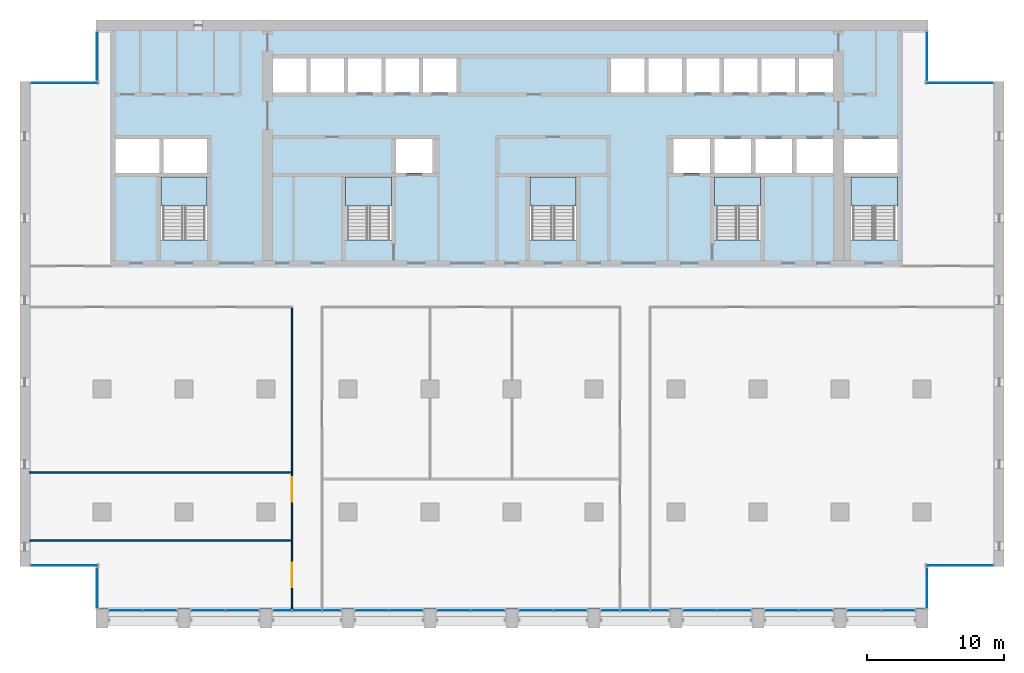
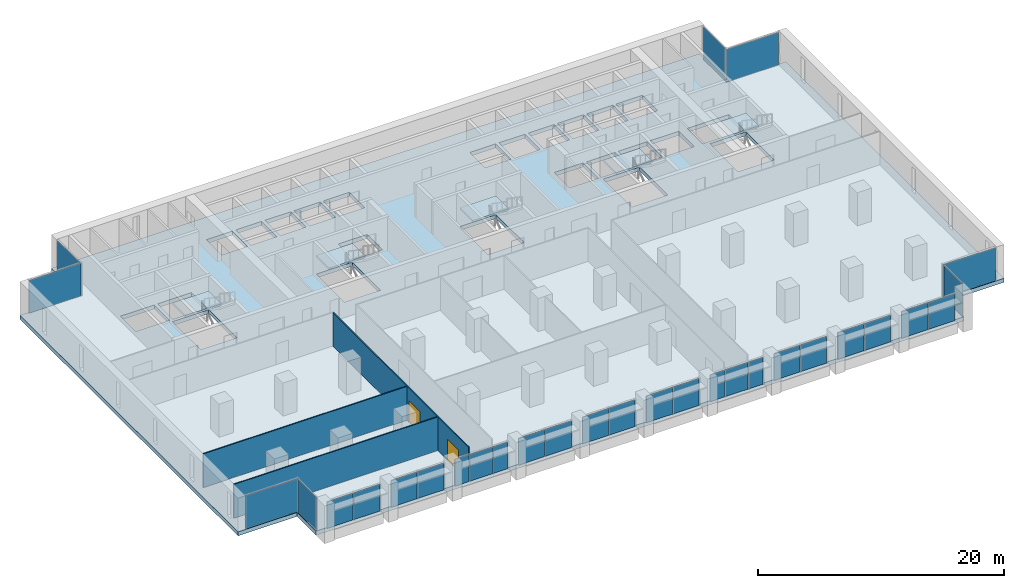
# One storey, part 7 of 15: 30 plates, 6 slabs, 3 walls, 2 doors, 2 openings, 23 elements without a shape of their own.
"""IFC4 building model written with IfcOpenShell, lengths in metres."""

from ifc_helpers import new_model, si_unit, direction, frame, frame_2d, origin, origin_2d, place, context, subcontext, project, spatial, polyline, rectangle, outline, extrude, material, layer, layer_set, type_object, element, fill, aggregate, save


model = new_model("IFC4")

# Units and contexts
model_context = context("Model", 3, precision=1e-05, world=origin(), true_north=direction((0.0, 1.0)))
body_context = subcontext(model_context, "Body", "Model", "MODEL_VIEW")
ifc_project = project(units=[si_unit("LENGTHUNIT", "METRE"), si_unit("AREAUNIT", "SQUARE_METRE"), si_unit("VOLUMEUNIT", "CUBIC_METRE"), si_unit("PLANEANGLEUNIT", "RADIAN"), si_unit("MASSUNIT", "GRAM", prefix="KILO")], contexts=[model_context])

# Site, building, storey
site_placement = place(None, origin())
site = spatial("IfcSite", under=ifc_project, at=site_placement, CompositionType="ELEMENT")
building_placement = place(site_placement, origin())
building = spatial("IfcBuilding", under=site, at=building_placement, Name="Calvaro Tower", CompositionType="ELEMENT")
storey_placement = place(building_placement, frame((0.0, 0.0, 121.25)))
storey = spatial("IfcBuildingStorey", under=building, at=storey_placement, Name="L30", CompositionType="ELEMENT", Elevation=121.25)

# Slab
ifc_material_1 = material(Name="Concrete C40/50", Category="concrete")
ifc_layer_1 = layer(ifc_material_1, 0.39990234375)
ifc_layer_set_1 = layer_set([ifc_layer_1], Name="Concrete C40/50")
slab_type_1 = type_object("IfcSlabType", Name="Floor slab 400 C40/50", PredefinedType="FLOOR", material=ifc_layer_set_1)
slab_1_placement = place(storey_placement, frame((0.0, 0.0, -0.39990234375)))
element("IfcSlab", 1, at=slab_1_placement, inside=storey, type_object=slab_type_1, Name="Floor slab", PredefinedType="FLOOR", context=body_context, shape_type="SweptSolid", body=[
    extrude(outline(polyline([(66.449951171875, 6.0), (66.449951171875, 2.89990234375), (5.550048828125, 2.89990234375), (5.550048828125, 6.0), (0.0, 6.0), (0.0, 41.5), (5.550048828125, 41.5), (5.550048828125, 46.0), (66.449951171875, 46.0), (66.449951171875, 41.5), (72.0, 41.5), (72.0, 6.0), (66.449951171875, 6.0)]), holes=[polyline([(10.300048828125, 29.909912109375), (10.300048828125, 34.5), (12.0, 34.5), (13.699951171875, 34.5), (13.699951171875, 29.909912109375), (12.0, 29.909912109375), (10.300048828125, 29.909912109375)]), polyline([(23.800048828125, 29.909912109375), (23.800048828125, 34.5), (25.5, 34.5), (27.199951171875, 34.5), (27.199951171875, 29.909912109375), (25.5, 29.909912109375), (23.800048828125, 29.909912109375)]), polyline([(37.300048828125, 29.909912109375), (37.300048828125, 34.5), (39.0, 34.5), (40.699951171875, 34.5), (40.699951171875, 29.909912109375), (39.0, 29.909912109375), (37.300048828125, 29.909912109375)]), polyline([(50.800048828125, 29.909912109375), (50.800048828125, 34.5), (52.5, 34.5), (54.199951171875, 34.5), (54.199951171875, 29.909912109375), (52.5, 29.909912109375), (50.800048828125, 29.909912109375)]), polyline([(60.800048828125, 29.909912109375), (60.800048828125, 34.5), (62.5, 34.5), (64.199951171875, 34.5), (64.199951171875, 29.909912109375), (62.5, 29.909912109375), (60.800048828125, 29.909912109375)]), polyline([(50.800048828125, 34.800048828125), (53.5, 34.800048828125), (53.5, 37.300048828125), (50.800048828125, 37.300048828125), (50.800048828125, 34.800048828125)]), polyline([(53.800048828125, 34.800048828125), (56.5, 34.800048828125), (56.5, 37.300048828125), (53.800048828125, 37.300048828125), (53.800048828125, 34.800048828125)]), polyline([(56.800048828125, 34.800048828125), (59.5, 34.800048828125), (59.5, 37.300048828125), (56.800048828125, 37.300048828125), (56.800048828125, 34.800048828125)]), polyline([(18.5, 40.699951171875), (20.949951171875, 40.699951171875), (20.949951171875, 43.199951171875), (18.5, 43.199951171875), (18.5, 40.699951171875)]), polyline([(21.25, 40.699951171875), (23.699951171875, 40.699951171875), (23.699951171875, 43.199951171875), (21.25, 43.199951171875), (21.25, 40.699951171875)]), polyline([(24.0, 40.699951171875), (26.449951171875, 40.699951171875), (26.449951171875, 43.199951171875), (24.0, 43.199951171875), (24.0, 40.699951171875)]), polyline([(26.75, 40.699951171875), (29.199951171875, 40.699951171875), (29.199951171875, 43.199951171875), (26.75, 43.199951171875), (26.75, 40.699951171875)]), polyline([(29.5, 40.699951171875), (31.949951171875, 40.699951171875), (31.949951171875, 43.199951171875), (29.5, 43.199951171875), (29.5, 40.699951171875)]), polyline([(43.25, 40.699951171875), (45.699951171875, 40.699951171875), (45.699951171875, 43.199951171875), (43.25, 43.199951171875), (43.25, 40.699951171875)]), polyline([(46.0, 40.699951171875), (48.449951171875, 40.699951171875), (48.449951171875, 43.199951171875), (46.0, 43.199951171875), (46.0, 40.699951171875)]), polyline([(48.75, 40.699951171875), (51.199951171875, 40.699951171875), (51.199951171875, 43.199951171875), (48.75, 43.199951171875), (48.75, 40.699951171875)]), polyline([(51.5, 40.699951171875), (53.949951171875, 40.699951171875), (53.949951171875, 43.199951171875), (51.5, 43.199951171875), (51.5, 40.699951171875)]), polyline([(54.25, 40.699951171875), (56.699951171875, 40.699951171875), (56.699951171875, 43.199951171875), (54.25, 43.199951171875), (54.25, 40.699951171875)]), polyline([(57.0, 40.699951171875), (59.5, 40.699951171875), (59.5, 43.199951171875), (57.0, 43.199951171875), (57.0, 40.699951171875)]), polyline([(7.0, 34.800048828125), (10.199951171875, 34.800048828125), (10.199951171875, 37.300048828125), (7.0, 37.300048828125), (7.0, 34.800048828125)]), polyline([(10.5, 34.800048828125), (13.699951171875, 34.800048828125), (13.699951171875, 37.300048828125), (10.5, 37.300048828125), (10.5, 34.800048828125)]), polyline([(60.300048828125, 34.800048828125), (64.199951171875, 34.800048828125), (64.199951171875, 37.300048828125), (60.300048828125, 37.300048828125), (60.300048828125, 34.800048828125)]), polyline([(27.5, 34.800048828125), (30.199951171875, 34.800048828125), (30.199951171875, 37.300048828125), (27.5, 37.300048828125), (27.5, 34.800048828125)]), polyline([(47.800048828125, 34.800048828125), (50.5, 34.800048828125), (50.5, 37.300048828125), (47.800048828125, 37.300048828125), (47.800048828125, 34.800048828125)])]), origin(), (0.0, 0.0, 1.0), 0.39990234375),
])

# Curtain wall, plates
ifc_material_2 = material(Name="Anodised aluminium", Category="aluminium")
curtain_wall_type = type_object("IfcCurtainWallType", Name="Office curtain wall, middle zone", PredefinedType="NOTDEFINED", material=ifc_material_2)
curtain_wall_1_placement = place(storey_placement, origin())
curtain_wall_1 = element("IfcCurtainWall", 2, at=curtain_wall_1_placement, inside=storey, type_object=curtain_wall_type, Name="CW2 south curtain wall", PredefinedType="NOTDEFINED")
ifc_material_3 = material(Name="Glass", Category="glass")
ifc_layer_2 = layer(ifc_material_3, 0.031982421875)
ifc_layer_set_2 = layer_set([ifc_layer_2], Name="Glass")
plate_type = type_object("IfcPlateType", Name="Glass panel S2 32", PredefinedType="CURTAIN_PANEL", material=ifc_layer_set_2)
plate_1_placement = place(storey_placement, frame((7.742431640625, 2.800048828125, 0.0), z_axis=(0.0, 0.0, 1.0), x_axis=(1.0, 0.0, 0.0)))
plate_1 = element("IfcPlate", 3, at=plate_1_placement, type_object=plate_type, Name="CW2 glass panel 1.1", PredefinedType="CURTAIN_PANEL", context=body_context, shape_type="SweptSolid", body=[
    extrude(rectangle(XDim=2.445068359375, YDim=0.031982421875, at=origin_2d()), origin(), (0.0, 0.0, 1.0), 2.64990234375),
])
plate_2_placement = place(storey_placement, frame((10.257568359375, 2.800048828125, 0.0), z_axis=(0.0, 0.0, 1.0), x_axis=(1.0, 0.0, 0.0)))
plate_2 = element("IfcPlate", 4, at=plate_2_placement, type_object=plate_type, Name="CW2 glass panel 2.1", PredefinedType="CURTAIN_PANEL", context=body_context, shape_type="SweptSolid", body=[
    extrude(rectangle(XDim=2.445068359375, YDim=0.031982421875, at=origin_2d()), origin(), (0.0, 0.0, 1.0), 2.64990234375),
])
aggregate(curtain_wall_1, [plate_1, plate_2])

curtain_wall_2_placement = place(storey_placement, origin())
curtain_wall_2 = element("IfcCurtainWall", 5, at=curtain_wall_2_placement, inside=storey, type_object=curtain_wall_type, Name="CW2 south curtain wall", PredefinedType="NOTDEFINED")
plate_3_placement = place(storey_placement, frame((13.742431640625, 2.800048828125, 0.0), z_axis=(0.0, 0.0, 1.0), x_axis=(1.0, 0.0, 0.0)))
plate_3 = element("IfcPlate", 6, at=plate_3_placement, type_object=plate_type, Name="CW2 glass panel 1.1", PredefinedType="CURTAIN_PANEL", context=body_context, shape_type="SweptSolid", body=[
    extrude(rectangle(XDim=2.445068359375, YDim=0.031982421875, at=origin_2d()), origin(), (0.0, 0.0, 1.0), 2.64990234375),
])
plate_4_placement = place(storey_placement, frame((16.257568359375, 2.800048828125, 0.0), z_axis=(0.0, 0.0, 1.0), x_axis=(1.0, 0.0, 0.0)))
plate_4 = element("IfcPlate", 7, at=plate_4_placement, type_object=plate_type, Name="CW2 glass panel 2.1", PredefinedType="CURTAIN_PANEL", context=body_context, shape_type="SweptSolid", body=[
    extrude(rectangle(XDim=2.445068359375, YDim=0.031982421875, at=origin_2d()), origin(), (0.0, 0.0, 1.0), 2.64990234375),
])
aggregate(curtain_wall_2, [plate_3, plate_4])

curtain_wall_3_placement = place(storey_placement, origin())
curtain_wall_3 = element("IfcCurtainWall", 8, at=curtain_wall_3_placement, inside=storey, type_object=curtain_wall_type, Name="CW2 south curtain wall", PredefinedType="NOTDEFINED")
plate_5_placement = place(storey_placement, frame((19.1923828125, 2.800048828125, 0.0), z_axis=(0.0, 0.0, 1.0), x_axis=(1.0, 0.0, 0.0)))
plate_5 = element("IfcPlate", 9, at=plate_5_placement, type_object=plate_type, Name="CW2 glass panel 1.1", PredefinedType="CURTAIN_PANEL", context=body_context, shape_type="SweptSolid", body=[
    extrude(rectangle(XDim=1.344970703125, YDim=0.031982421875, at=origin_2d()), origin(), (0.0, 0.0, 1.0), 2.64990234375),
])
plate_6_placement = place(storey_placement, frame((21.0, 2.800048828125, 0.0), z_axis=(0.0, 0.0, 1.0), x_axis=(1.0, 0.0, 0.0)))
plate_6 = element("IfcPlate", 10, at=plate_6_placement, type_object=plate_type, Name="CW2 glass panel 2.1", PredefinedType="CURTAIN_PANEL", context=body_context, shape_type="SweptSolid", body=[
    extrude(rectangle(XDim=2.1298828125, YDim=0.031982421875, at=origin_2d()), origin(), (0.0, 0.0, 1.0), 2.64990234375),
])
plate_7_placement = place(storey_placement, frame((22.8076171875, 2.800048828125, 0.0), z_axis=(0.0, 0.0, 1.0), x_axis=(1.0, 0.0, 0.0)))
plate_7 = element("IfcPlate", 11, at=plate_7_placement, type_object=plate_type, Name="CW2 glass panel 3.1", PredefinedType="CURTAIN_PANEL", context=body_context, shape_type="SweptSolid", body=[
    extrude(rectangle(XDim=1.344970703125, YDim=0.031982421875, at=origin_2d()), origin(), (0.0, 0.0, 1.0), 2.64990234375),
])
aggregate(curtain_wall_3, [plate_5, plate_6, plate_7])

curtain_wall_4_placement = place(storey_placement, origin())
curtain_wall_4 = element("IfcCurtainWall", 12, at=curtain_wall_4_placement, inside=storey, type_object=curtain_wall_type, Name="CW2 south curtain wall", PredefinedType="NOTDEFINED")
plate_8_placement = place(storey_placement, frame((25.742431640625, 2.800048828125, 0.0), z_axis=(0.0, 0.0, 1.0), x_axis=(1.0, 0.0, 0.0)))
plate_8 = element("IfcPlate", 13, at=plate_8_placement, type_object=plate_type, Name="CW2 glass panel 1.1", PredefinedType="CURTAIN_PANEL", context=body_context, shape_type="SweptSolid", body=[
    extrude(rectangle(XDim=2.445068359375, YDim=0.031982421875, at=origin_2d()), origin(), (0.0, 0.0, 1.0), 2.64990234375),
])
plate_9_placement = place(storey_placement, frame((28.257568359375, 2.800048828125, 0.0), z_axis=(0.0, 0.0, 1.0), x_axis=(1.0, 0.0, 0.0)))
plate_9 = element("IfcPlate", 14, at=plate_9_placement, type_object=plate_type, Name="CW2 glass panel 2.1", PredefinedType="CURTAIN_PANEL", context=body_context, shape_type="SweptSolid", body=[
    extrude(rectangle(XDim=2.445068359375, YDim=0.031982421875, at=origin_2d()), origin(), (0.0, 0.0, 1.0), 2.64990234375),
])
aggregate(curtain_wall_4, [plate_8, plate_9])

curtain_wall_5_placement = place(storey_placement, origin())
curtain_wall_5 = element("IfcCurtainWall", 15, at=curtain_wall_5_placement, inside=storey, type_object=curtain_wall_type, Name="CW2 south curtain wall", PredefinedType="NOTDEFINED")
plate_10_placement = place(storey_placement, frame((31.742431640625, 2.800048828125, 0.0), z_axis=(0.0, 0.0, 1.0), x_axis=(1.0, 0.0, 0.0)))
plate_10 = element("IfcPlate", 16, at=plate_10_placement, type_object=plate_type, Name="CW2 glass panel 1.1", PredefinedType="CURTAIN_PANEL", context=body_context, shape_type="SweptSolid", body=[
    extrude(rectangle(XDim=2.445068359375, YDim=0.031982421875, at=origin_2d()), origin(), (0.0, 0.0, 1.0), 2.64990234375),
])
plate_11_placement = place(storey_placement, frame((34.257568359375, 2.800048828125, 0.0), z_axis=(0.0, 0.0, 1.0), x_axis=(1.0, 0.0, 0.0)))
plate_11 = element("IfcPlate", 17, at=plate_11_placement, type_object=plate_type, Name="CW2 glass panel 2.1", PredefinedType="CURTAIN_PANEL", context=body_context, shape_type="SweptSolid", body=[
    extrude(rectangle(XDim=2.445068359375, YDim=0.031982421875, at=origin_2d()), origin(), (0.0, 0.0, 1.0), 2.64990234375),
])
aggregate(curtain_wall_5, [plate_10, plate_11])

curtain_wall_6_placement = place(storey_placement, origin())
curtain_wall_6 = element("IfcCurtainWall", 18, at=curtain_wall_6_placement, inside=storey, type_object=curtain_wall_type, Name="CW2 south curtain wall", PredefinedType="NOTDEFINED")
plate_12_placement = place(storey_placement, frame((37.742431640625, 2.800048828125, 0.0), z_axis=(0.0, 0.0, 1.0), x_axis=(1.0, 0.0, 0.0)))
plate_12 = element("IfcPlate", 19, at=plate_12_placement, type_object=plate_type, Name="CW2 glass panel 1.1", PredefinedType="CURTAIN_PANEL", context=body_context, shape_type="SweptSolid", body=[
    extrude(rectangle(XDim=2.445068359375, YDim=0.031982421875, at=origin_2d()), origin(), (0.0, 0.0, 1.0), 2.64990234375),
])
plate_13_placement = place(storey_placement, frame((40.257568359375, 2.800048828125, 0.0), z_axis=(0.0, 0.0, 1.0), x_axis=(1.0, 0.0, 0.0)))
plate_13 = element("IfcPlate", 20, at=plate_13_placement, type_object=plate_type, Name="CW2 glass panel 2.1", PredefinedType="CURTAIN_PANEL", context=body_context, shape_type="SweptSolid", body=[
    extrude(rectangle(XDim=2.445068359375, YDim=0.031982421875, at=origin_2d()), origin(), (0.0, 0.0, 1.0), 2.64990234375),
])
aggregate(curtain_wall_6, [plate_12, plate_13])

curtain_wall_7_placement = place(storey_placement, origin())
curtain_wall_7 = element("IfcCurtainWall", 21, at=curtain_wall_7_placement, inside=storey, type_object=curtain_wall_type, Name="CW2 south curtain wall", PredefinedType="NOTDEFINED")
plate_14_placement = place(storey_placement, frame((43.1923828125, 2.800048828125, 0.0), z_axis=(0.0, 0.0, 1.0), x_axis=(1.0, 0.0, 0.0)))
plate_14 = element("IfcPlate", 22, at=plate_14_placement, type_object=plate_type, Name="CW2 glass panel 1.1", PredefinedType="CURTAIN_PANEL", context=body_context, shape_type="SweptSolid", body=[
    extrude(rectangle(XDim=1.344970703125, YDim=0.031982421875, at=origin_2d()), origin(), (0.0, 0.0, 1.0), 2.64990234375),
])
plate_15_placement = place(storey_placement, frame((45.0, 2.800048828125, 0.0), z_axis=(0.0, 0.0, 1.0), x_axis=(1.0, 0.0, 0.0)))
plate_15 = element("IfcPlate", 23, at=plate_15_placement, type_object=plate_type, Name="CW2 glass panel 2.1", PredefinedType="CURTAIN_PANEL", context=body_context, shape_type="SweptSolid", body=[
    extrude(rectangle(XDim=2.1298828125, YDim=0.031982421875, at=origin_2d()), origin(), (0.0, 0.0, 1.0), 2.64990234375),
])
plate_16_placement = place(storey_placement, frame((46.8076171875, 2.800048828125, 0.0), z_axis=(0.0, 0.0, 1.0), x_axis=(1.0, 0.0, 0.0)))
plate_16 = element("IfcPlate", 24, at=plate_16_placement, type_object=plate_type, Name="CW2 glass panel 3.1", PredefinedType="CURTAIN_PANEL", context=body_context, shape_type="SweptSolid", body=[
    extrude(rectangle(XDim=1.344970703125, YDim=0.031982421875, at=origin_2d()), origin(), (0.0, 0.0, 1.0), 2.64990234375),
])
aggregate(curtain_wall_7, [plate_14, plate_15, plate_16])

curtain_wall_8_placement = place(storey_placement, origin())
curtain_wall_8 = element("IfcCurtainWall", 25, at=curtain_wall_8_placement, inside=storey, type_object=curtain_wall_type, Name="CW2 south curtain wall", PredefinedType="NOTDEFINED")
plate_17_placement = place(storey_placement, frame((49.742431640625, 2.800048828125, 0.0), z_axis=(0.0, 0.0, 1.0), x_axis=(1.0, 0.0, 0.0)))
plate_17 = element("IfcPlate", 26, at=plate_17_placement, type_object=plate_type, Name="CW2 glass panel 1.1", PredefinedType="CURTAIN_PANEL", context=body_context, shape_type="SweptSolid", body=[
    extrude(rectangle(XDim=2.445068359375, YDim=0.031982421875, at=origin_2d()), origin(), (0.0, 0.0, 1.0), 2.64990234375),
])
plate_18_placement = place(storey_placement, frame((52.257568359375, 2.800048828125, 0.0), z_axis=(0.0, 0.0, 1.0), x_axis=(1.0, 0.0, 0.0)))
plate_18 = element("IfcPlate", 27, at=plate_18_placement, type_object=plate_type, Name="CW2 glass panel 2.1", PredefinedType="CURTAIN_PANEL", context=body_context, shape_type="SweptSolid", body=[
    extrude(rectangle(XDim=2.445068359375, YDim=0.031982421875, at=origin_2d()), origin(), (0.0, 0.0, 1.0), 2.64990234375),
])
aggregate(curtain_wall_8, [plate_17, plate_18])

curtain_wall_9_placement = place(storey_placement, origin())
curtain_wall_9 = element("IfcCurtainWall", 28, at=curtain_wall_9_placement, inside=storey, type_object=curtain_wall_type, Name="CW2 south curtain wall", PredefinedType="NOTDEFINED")
plate_19_placement = place(storey_placement, frame((55.742431640625, 2.800048828125, 0.0), z_axis=(0.0, 0.0, 1.0), x_axis=(1.0, 0.0, 0.0)))
plate_19 = element("IfcPlate", 29, at=plate_19_placement, type_object=plate_type, Name="CW2 glass panel 1.1", PredefinedType="CURTAIN_PANEL", context=body_context, shape_type="SweptSolid", body=[
    extrude(rectangle(XDim=2.445068359375, YDim=0.031982421875, at=origin_2d()), origin(), (0.0, 0.0, 1.0), 2.64990234375),
])
plate_20_placement = place(storey_placement, frame((58.257568359375, 2.800048828125, 0.0), z_axis=(0.0, 0.0, 1.0), x_axis=(1.0, 0.0, 0.0)))
plate_20 = element("IfcPlate", 30, at=plate_20_placement, type_object=plate_type, Name="CW2 glass panel 2.1", PredefinedType="CURTAIN_PANEL", context=body_context, shape_type="SweptSolid", body=[
    extrude(rectangle(XDim=2.445068359375, YDim=0.031982421875, at=origin_2d()), origin(), (0.0, 0.0, 1.0), 2.64990234375),
])
aggregate(curtain_wall_9, [plate_19, plate_20])

curtain_wall_10_placement = place(storey_placement, origin())
curtain_wall_10 = element("IfcCurtainWall", 31, at=curtain_wall_10_placement, inside=storey, type_object=curtain_wall_type, Name="CW2 south curtain wall", PredefinedType="NOTDEFINED")
plate_21_placement = place(storey_placement, frame((61.742431640625, 2.800048828125, 0.0), z_axis=(0.0, 0.0, 1.0), x_axis=(1.0, 0.0, 0.0)))
plate_21 = element("IfcPlate", 32, at=plate_21_placement, type_object=plate_type, Name="CW2 glass panel 1.1", PredefinedType="CURTAIN_PANEL", context=body_context, shape_type="SweptSolid", body=[
    extrude(rectangle(XDim=2.445068359375, YDim=0.031982421875, at=origin_2d()), origin(), (0.0, 0.0, 1.0), 2.64990234375),
])
plate_22_placement = place(storey_placement, frame((64.257568359375, 2.800048828125, 0.0), z_axis=(0.0, 0.0, 1.0), x_axis=(1.0, 0.0, 0.0)))
plate_22 = element("IfcPlate", 33, at=plate_22_placement, type_object=plate_type, Name="CW2 glass panel 2.1", PredefinedType="CURTAIN_PANEL", context=body_context, shape_type="SweptSolid", body=[
    extrude(rectangle(XDim=2.445068359375, YDim=0.031982421875, at=origin_2d()), origin(), (0.0, 0.0, 1.0), 2.64990234375),
])
aggregate(curtain_wall_10, [plate_21, plate_22])

# Curtain wall, plate
curtain_wall_11_placement = place(storey_placement, origin())
curtain_wall_11 = element("IfcCurtainWall", 34, at=curtain_wall_11_placement, inside=storey, type_object=curtain_wall_type, Name="CW2 corner curtain wall", PredefinedType="NOTDEFINED")
plate_23_placement = place(storey_placement, frame((5.64990234375, 4.449951171875, 0.0), z_axis=(0.0, 0.0, 1.0), x_axis=(0.0, 1.0, 0.0)))
plate_23 = element("IfcPlate", 35, at=plate_23_placement, type_object=plate_type, Name="CW2 glass panel 1.1", PredefinedType="CURTAIN_PANEL", context=body_context, shape_type="SweptSolid", body=[
    extrude(rectangle(XDim=2.9599609375, YDim=0.031982421875, at=origin_2d()), origin(), (0.0, 0.0, 1.0), 3.25),
])
aggregate(curtain_wall_11, [plate_23])

curtain_wall_12_placement = place(storey_placement, origin())
curtain_wall_12 = element("IfcCurtainWall", 36, at=curtain_wall_12_placement, inside=storey, type_object=curtain_wall_type, Name="CW2 corner curtain wall", PredefinedType="NOTDEFINED")
plate_24_placement = place(storey_placement, frame((3.22509765625, 6.10009765625, 0.0), z_axis=(0.0, 0.0, 1.0), x_axis=(1.0, 0.0, 0.0)))
plate_24 = element("IfcPlate", 37, at=plate_24_placement, type_object=plate_type, Name="CW2 glass panel 1.1", PredefinedType="CURTAIN_PANEL", context=body_context, shape_type="SweptSolid", body=[
    extrude(rectangle(XDim=4.909912109375, YDim=0.031982421875, at=origin_2d()), origin(), (0.0, 0.0, 1.0), 3.25),
])
aggregate(curtain_wall_12, [plate_24])

curtain_wall_13_placement = place(storey_placement, origin())
curtain_wall_13 = element("IfcCurtainWall", 38, at=curtain_wall_13_placement, inside=storey, type_object=curtain_wall_type, Name="CW2 corner curtain wall", PredefinedType="NOTDEFINED")
plate_25_placement = place(storey_placement, frame((5.64990234375, 43.35009765625, 0.0), z_axis=(0.0, 0.0, 1.0), x_axis=(0.0, 1.0, 0.0)))
plate_25 = element("IfcPlate", 39, at=plate_25_placement, type_object=plate_type, Name="CW2 glass panel 1.1", PredefinedType="CURTAIN_PANEL", context=body_context, shape_type="SweptSolid", body=[
    extrude(rectangle(XDim=3.56005859375, YDim=0.031982421875, at=origin_2d()), origin(), (0.0, 0.0, 1.0), 3.25),
])
aggregate(curtain_wall_13, [plate_25])

curtain_wall_14_placement = place(storey_placement, origin())
curtain_wall_14 = element("IfcCurtainWall", 40, at=curtain_wall_14_placement, inside=storey, type_object=curtain_wall_type, Name="CW2 corner curtain wall", PredefinedType="NOTDEFINED")
plate_26_placement = place(storey_placement, frame((3.22509765625, 41.39990234375, 0.0), z_axis=(0.0, 0.0, 1.0), x_axis=(1.0, 0.0, 0.0)))
plate_26 = element("IfcPlate", 41, at=plate_26_placement, type_object=plate_type, Name="CW2 glass panel 1.1", PredefinedType="CURTAIN_PANEL", context=body_context, shape_type="SweptSolid", body=[
    extrude(rectangle(XDim=4.909912109375, YDim=0.031982421875, at=origin_2d()), origin(), (0.0, 0.0, 1.0), 3.25),
])
aggregate(curtain_wall_14, [plate_26])

curtain_wall_15_placement = place(storey_placement, origin())
curtain_wall_15 = element("IfcCurtainWall", 42, at=curtain_wall_15_placement, inside=storey, type_object=curtain_wall_type, Name="CW2 corner curtain wall", PredefinedType="NOTDEFINED")
plate_27_placement = place(storey_placement, frame((66.35009765625, 4.449951171875, 0.0), z_axis=(0.0, 0.0, 1.0), x_axis=(0.0, 1.0, 0.0)))
plate_27 = element("IfcPlate", 43, at=plate_27_placement, type_object=plate_type, Name="CW2 glass panel 1.1", PredefinedType="CURTAIN_PANEL", context=body_context, shape_type="SweptSolid", body=[
    extrude(rectangle(XDim=2.9599609375, YDim=0.031982421875, at=origin_2d()), origin(), (0.0, 0.0, 1.0), 3.25),
])
aggregate(curtain_wall_15, [plate_27])

curtain_wall_16_placement = place(storey_placement, origin())
curtain_wall_16 = element("IfcCurtainWall", 44, at=curtain_wall_16_placement, inside=storey, type_object=curtain_wall_type, Name="CW2 corner curtain wall", PredefinedType="NOTDEFINED")
plate_28_placement = place(storey_placement, frame((68.77490234375, 6.10009765625, 0.0), z_axis=(0.0, 0.0, 1.0), x_axis=(1.0, 0.0, 0.0)))
plate_28 = element("IfcPlate", 45, at=plate_28_placement, type_object=plate_type, Name="CW2 glass panel 1.1", PredefinedType="CURTAIN_PANEL", context=body_context, shape_type="SweptSolid", body=[
    extrude(rectangle(XDim=4.909912109375, YDim=0.031982421875, at=origin_2d()), origin(), (0.0, 0.0, 1.0), 3.25),
])
aggregate(curtain_wall_16, [plate_28])

curtain_wall_17_placement = place(storey_placement, origin())
curtain_wall_17 = element("IfcCurtainWall", 46, at=curtain_wall_17_placement, inside=storey, type_object=curtain_wall_type, Name="CW2 corner curtain wall", PredefinedType="NOTDEFINED")
plate_29_placement = place(storey_placement, frame((66.35009765625, 43.35009765625, 0.0), z_axis=(0.0, 0.0, 1.0), x_axis=(0.0, 1.0, 0.0)))
plate_29 = element("IfcPlate", 47, at=plate_29_placement, type_object=plate_type, Name="CW2 glass panel 1.1", PredefinedType="CURTAIN_PANEL", context=body_context, shape_type="SweptSolid", body=[
    extrude(rectangle(XDim=3.56005859375, YDim=0.031982421875, at=origin_2d()), origin(), (0.0, 0.0, 1.0), 3.25),
])
aggregate(curtain_wall_17, [plate_29])

curtain_wall_18_placement = place(storey_placement, origin())
curtain_wall_18 = element("IfcCurtainWall", 48, at=curtain_wall_18_placement, inside=storey, type_object=curtain_wall_type, Name="CW2 corner curtain wall", PredefinedType="NOTDEFINED")
plate_30_placement = place(storey_placement, frame((68.77490234375, 41.39990234375, 0.0), z_axis=(0.0, 0.0, 1.0), x_axis=(1.0, 0.0, 0.0)))
plate_30 = element("IfcPlate", 49, at=plate_30_placement, type_object=plate_type, Name="CW2 glass panel 1.1", PredefinedType="CURTAIN_PANEL", context=body_context, shape_type="SweptSolid", body=[
    extrude(rectangle(XDim=4.909912109375, YDim=0.031982421875, at=origin_2d()), origin(), (0.0, 0.0, 1.0), 3.25),
])
aggregate(curtain_wall_18, [plate_30])

# Stair, slab
ifc_material_4 = material(Name="Concrete C40/50", Category="concrete")
stair_type = type_object("IfcStairType", Name="Exit stair 1400 2 flights", PredefinedType="HALF_TURN_STAIR", material=ifc_material_4)
stair_1_placement = place(storey_placement, origin())
stair_1 = element("IfcStair", 50, at=stair_1_placement, inside=storey, type_object=stair_type, Name="Exit stair S1", PredefinedType="HALF_TURN_STAIR")
ifc_material_5 = material(Name="Concrete C40/50", Category="concrete")
ifc_layer_3 = layer(ifc_material_5, 0.199951171875)
ifc_layer_set_3 = layer_set([ifc_layer_3], Name="Concrete C40/50")
slab_type_2 = type_object("IfcSlabType", Name="Stair landing", PredefinedType="LANDING", material=ifc_layer_set_3)
slab_2_placement = place(storey_placement, frame((0.0, 0.0, 1.675048828125)))
slab_2 = element("IfcSlab", 51, at=slab_2_placement, type_object=slab_type_2, Name="Exit stair 1, landing 1", PredefinedType="LANDING", context=body_context, shape_type="SweptSolid", body=[
    extrude(outline(polyline([(11.89990234375, 32.389892578125), (10.5, 32.389892578125), (10.5, 32.39990234375), (10.300048828125, 32.39990234375), (10.300048828125, 34.5), (10.5, 34.5), (11.89990234375, 34.5), (12.10009765625, 34.5), (13.5, 34.5), (13.699951171875, 34.5), (13.699951171875, 32.39990234375), (13.5, 32.39990234375), (13.5, 32.389892578125), (12.10009765625, 32.389892578125), (12.10009765625, 32.39990234375), (11.89990234375, 32.39990234375), (11.89990234375, 32.389892578125)])), origin(), (0.0, 0.0, 1.0), 0.199951171875),
])
aggregate(stair_1, [slab_2])

stair_2_placement = place(storey_placement, origin())
stair_2 = element("IfcStair", 52, at=stair_2_placement, inside=storey, type_object=stair_type, Name="Exit stair S2", PredefinedType="HALF_TURN_STAIR")
slab_3_placement = place(storey_placement, frame((0.0, 0.0, 1.675048828125)))
slab_3 = element("IfcSlab", 53, at=slab_3_placement, type_object=slab_type_2, Name="Exit stair 2, landing 1", PredefinedType="LANDING", context=body_context, shape_type="SweptSolid", body=[
    extrude(outline(polyline([(25.39990234375, 32.389892578125), (24.0, 32.389892578125), (24.0, 32.39990234375), (23.800048828125, 32.39990234375), (23.800048828125, 34.5), (24.0, 34.5), (25.39990234375, 34.5), (25.60009765625, 34.5), (27.0, 34.5), (27.199951171875, 34.5), (27.199951171875, 32.39990234375), (27.0, 32.39990234375), (27.0, 32.389892578125), (25.60009765625, 32.389892578125), (25.60009765625, 32.39990234375), (25.39990234375, 32.39990234375), (25.39990234375, 32.389892578125)])), origin(), (0.0, 0.0, 1.0), 0.199951171875),
])
aggregate(stair_2, [slab_3])

stair_3_placement = place(storey_placement, origin())
stair_3 = element("IfcStair", 54, at=stair_3_placement, inside=storey, type_object=stair_type, Name="Exit stair S3", PredefinedType="HALF_TURN_STAIR")
slab_4_placement = place(storey_placement, frame((0.0, 0.0, 1.675048828125)))
slab_4 = element("IfcSlab", 55, at=slab_4_placement, type_object=slab_type_2, Name="Exit stair 3, landing 1", PredefinedType="LANDING", context=body_context, shape_type="SweptSolid", body=[
    extrude(outline(polyline([(38.89990234375, 32.389892578125), (37.5, 32.389892578125), (37.5, 32.39990234375), (37.300048828125, 32.39990234375), (37.300048828125, 34.5), (37.5, 34.5), (38.89990234375, 34.5), (39.10009765625, 34.5), (40.5, 34.5), (40.699951171875, 34.5), (40.699951171875, 32.39990234375), (40.5, 32.39990234375), (40.5, 32.389892578125), (39.10009765625, 32.389892578125), (39.10009765625, 32.39990234375), (38.89990234375, 32.39990234375), (38.89990234375, 32.389892578125)])), origin(), (0.0, 0.0, 1.0), 0.199951171875),
])
aggregate(stair_3, [slab_4])

stair_4_placement = place(storey_placement, origin())
stair_4 = element("IfcStair", 56, at=stair_4_placement, inside=storey, type_object=stair_type, Name="Exit stair S4", PredefinedType="HALF_TURN_STAIR")
slab_5_placement = place(storey_placement, frame((0.0, 0.0, 1.675048828125)))
slab_5 = element("IfcSlab", 57, at=slab_5_placement, type_object=slab_type_2, Name="Exit stair 4, landing 1", PredefinedType="LANDING", context=body_context, shape_type="SweptSolid", body=[
    extrude(outline(polyline([(52.39990234375, 32.389892578125), (51.0, 32.389892578125), (51.0, 32.39990234375), (50.800048828125, 32.39990234375), (50.800048828125, 34.5), (51.0, 34.5), (52.39990234375, 34.5), (52.60009765625, 34.5), (54.0, 34.5), (54.199951171875, 34.5), (54.199951171875, 32.39990234375), (54.0, 32.39990234375), (54.0, 32.389892578125), (52.60009765625, 32.389892578125), (52.60009765625, 32.39990234375), (52.39990234375, 32.39990234375), (52.39990234375, 32.389892578125)])), origin(), (0.0, 0.0, 1.0), 0.199951171875),
])
aggregate(stair_4, [slab_5])

stair_5_placement = place(storey_placement, origin())
stair_5 = element("IfcStair", 58, at=stair_5_placement, inside=storey, type_object=stair_type, Name="Exit stair S5", PredefinedType="HALF_TURN_STAIR")
slab_6_placement = place(storey_placement, frame((0.0, 0.0, 1.675048828125)))
slab_6 = element("IfcSlab", 59, at=slab_6_placement, type_object=slab_type_2, Name="Exit stair 5, landing 1", PredefinedType="LANDING", context=body_context, shape_type="SweptSolid", body=[
    extrude(outline(polyline([(62.39990234375, 32.389892578125), (61.0, 32.389892578125), (61.0, 32.39990234375), (60.800048828125, 32.39990234375), (60.800048828125, 34.5), (61.0, 34.5), (62.39990234375, 34.5), (62.60009765625, 34.5), (64.0, 34.5), (64.199951171875, 34.5), (64.199951171875, 32.39990234375), (64.0, 32.39990234375), (64.0, 32.389892578125), (62.60009765625, 32.389892578125), (62.60009765625, 32.39990234375), (62.39990234375, 32.39990234375), (62.39990234375, 32.389892578125)])), origin(), (0.0, 0.0, 1.0), 0.199951171875),
])
aggregate(stair_5, [slab_6])

# Walls
ifc_material_6 = material(Name="Plasterboard on steel studs", Category="steel")
ifc_layer_4 = layer(ifc_material_6, 0.10009765625)
ifc_layer_set_4 = layer_set([ifc_layer_4], Name="Plasterboard on steel studs")
wall_type = type_object("IfcWallType", Name="Partition 100", PredefinedType="PARTITIONING", material=ifc_layer_set_4)
for number, where, z_axis, x_axis, name in (
    (60, (0.699951171875, 7.89990234375, 0.0), (0.0, 0.0, 1.0), (1.0, 0.0, 0.0), "Partition T19.W001"),
    (61, (0.699951171875, 12.89990234375, 0.0), (0.0, 0.0, 1.0), (1.0, 0.0, 0.0), "Partition T19.W003"),
):
    element("IfcWall", number, at=place(storey_placement, frame(where, z_axis=z_axis, x_axis=x_axis)), inside=storey, type_object=wall_type, Name=name, PredefinedType="PARTITIONING", context=body_context, shape_type="SweptSolid", body=[
        extrude(rectangle(XDim=19.150146484375, YDim=0.10009765625, at=frame_2d((9.5751953125, 0.0))), origin(), (0.0, 0.0, 1.0), 3.35009765625),
    ])

# Wall, openings, doors
wall_placement = place(storey_placement, frame((19.89990234375, 2.89990234375, 0.0), z_axis=(0.0, 0.0, 1.0), x_axis=(0.0, 1.0, 0.0)))
wall = element("IfcWall", 62, at=wall_placement, inside=storey, type_object=wall_type, Name="Partition T19.W009", PredefinedType="PARTITIONING", context=body_context, shape_type="SweptSolid", body=[
    extrude(rectangle(XDim=22.050048828125, YDim=0.10009765625, at=frame_2d((11.02490234375, 0.0))), origin(), (0.0, 0.0, 1.0), 3.35009765625),
])
opening_1_placement = place(wall_placement, frame((1.60009765625, 0.0, 0.0)))
opening_1 = element("IfcOpeningElement", 63, at=opening_1_placement, cuts=wall, Name="Opening T19.001", PredefinedType="OPENING", context=body_context, shape_type="SweptSolid", body=[
    extrude(rectangle(XDim=1.800048828125, YDim=2.10009765625, at=frame_2d((0.89990234375, 1.050048828125))), frame((0.0, 0.06005859375, 0.0), z_axis=(0.0, -1.0, 0.0), x_axis=(1.0, 0.0, 0.0)), (0.0, 0.0, 1.0), 0.1201171875),
])
opening_2_placement = place(wall_placement, frame((7.85009765625, 0.0, 0.0)))
opening_2 = element("IfcOpeningElement", 64, at=opening_2_placement, cuts=wall, Name="Opening T19.004", PredefinedType="OPENING", context=body_context, shape_type="SweptSolid", body=[
    extrude(rectangle(XDim=1.800048828125, YDim=2.10009765625, at=frame_2d((0.89990234375, 1.050048828125))), frame((0.0, 0.06005859375, 0.0), z_axis=(0.0, -1.0, 0.0), x_axis=(1.0, 0.0, 0.0)), (0.0, 0.0, 1.0), 0.1201171875),
])
ifc_material_7 = material(Name="Timber", Category="wood")
door_type = type_object("IfcDoorType", Name="Internal double door 1800 x 2100", OperationType="DOUBLE_DOOR_SINGLE_SWING", PredefinedType="DOOR", material=ifc_material_7)
door_1_placement = place(opening_1_placement, origin())
door_1 = element("IfcDoor", 65, at=door_1_placement, inside=storey, type_object=door_type, Name="Door T19.001", OperationType="DOUBLE_DOOR_SINGLE_SWING", OverallHeight=2.10009765625, OverallWidth=1.800048828125, PredefinedType="DOOR", context=body_context, shape_type="SweptSolid", body=[
    extrude(rectangle(XDim=1.800048828125, YDim=2.10009765625, at=frame_2d((0.89990234375, 1.050048828125))), frame((0.0, 0.02490234375, 0.0), z_axis=(0.0, -1.0, 0.0), x_axis=(1.0, 0.0, 0.0)), (0.0, 0.0, 1.0), 0.050048828125),
])
fill(opening_1, door_1)
door_2_placement = place(opening_2_placement, origin())
door_2 = element("IfcDoor", 66, at=door_2_placement, inside=storey, type_object=door_type, Name="Door T19.004", OperationType="DOUBLE_DOOR_SINGLE_SWING", OverallHeight=2.10009765625, OverallWidth=1.800048828125, PredefinedType="DOOR", context=body_context, shape_type="SweptSolid", body=[
    extrude(rectangle(XDim=1.800048828125, YDim=2.10009765625, at=frame_2d((0.89990234375, 1.050048828125))), frame((0.0, 0.02490234375, 0.0), z_axis=(0.0, -1.0, 0.0), x_axis=(1.0, 0.0, 0.0)), (0.0, 0.0, 1.0), 0.050048828125),
])
fill(opening_2, door_2)

save(model, "model.ifc")
